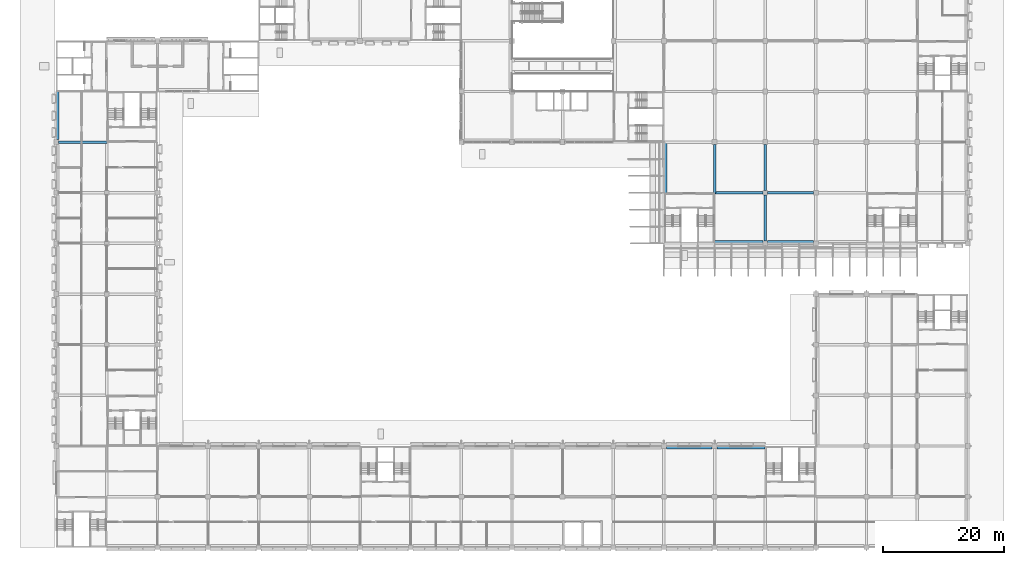
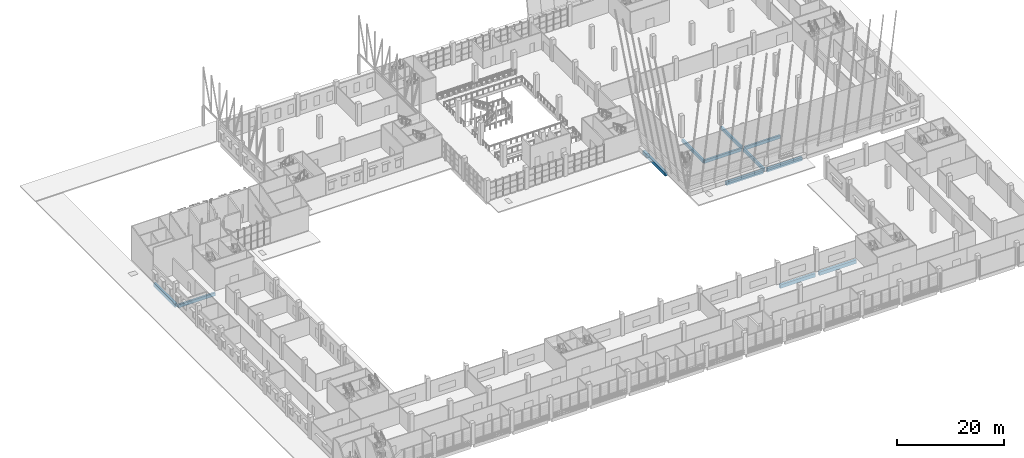
# One storey, part 5 of 101: 12 beams.
"""IFC4 building model written with IfcOpenShell, lengths in metres."""

from ifc_helpers import new_model, si_unit, direction, frame, origin, origin_2d, place, context, subcontext, project, spatial, rectangle, extrude, material, material_profile, profile_set, type_object, element, save


model = new_model("IFC4")

# Units and contexts
model_context = context("Model", 3, precision=1e-05, world=origin(), true_north=direction((0.0, 1.0)))
body_context = subcontext(model_context, "Body", "Model", "MODEL_VIEW")
ifc_project = project(units=[si_unit("LENGTHUNIT", "METRE"), si_unit("AREAUNIT", "SQUARE_METRE"), si_unit("VOLUMEUNIT", "CUBIC_METRE"), si_unit("PLANEANGLEUNIT", "RADIAN"), si_unit("MASSUNIT", "GRAM", prefix="KILO")], contexts=[model_context])

# Site, building, storey
site_placement = place(None, origin())
site = spatial("IfcSite", under=ifc_project, at=site_placement, CompositionType="ELEMENT")
building_placement = place(site_placement, origin())
building = spatial("IfcBuilding", under=site, at=building_placement, Name="Almond Square Museum", CompositionType="ELEMENT")
storey_placement = place(building_placement, frame((0.0, 0.0, 5.5)))
storey = spatial("IfcBuildingStorey", under=building, at=storey_placement, Name="L01", CompositionType="ELEMENT", Elevation=5.5)

# Beams
ifc_material_1 = material(Name="Concrete C40/50", Category="concrete")
ifc_material_profile_1 = material_profile(ifc_material_1, rectangle(XDim=0.39990234375, YDim=0.699951171875, at=origin_2d()))
ifc_profile_set_1 = profile_set([ifc_material_profile_1], Name="Concrete C40/50")
beam_type_1 = type_object("IfcBeamType", Name="RC beam 400 x 700 C40/50", PredefinedType="BEAM", material=ifc_profile_set_1)
beam_1_placement = place(storey_placement, frame((115.199951171875, 58.800048828125, -0.60009765625), z_axis=(1.0, 0.0, 0.0), x_axis=(0.0, 1.0, 0.0)))
element("IfcBeam", 1, at=beam_1_placement, inside=storey, type_object=beam_type_1, Name="Beam H 15-16 L01", PredefinedType="BEAM", context=body_context, shape_type="SweptSolid", body=[
    extrude(rectangle(XDim=0.39990234375, YDim=0.699951171875, at=origin_2d()), origin(), (0.0, 0.0, 1.0), 8.0),
])
beam_2_placement = place(storey_placement, frame((124.0, 58.800048828125, -0.60009765625), z_axis=(1.0, 0.0, 0.0), x_axis=(0.0, 1.0, 0.0)))
element("IfcBeam", 2, at=beam_2_placement, inside=storey, type_object=beam_type_1, Name="Beam H 16-17 L01", PredefinedType="BEAM", context=body_context, shape_type="SweptSolid", body=[
    extrude(rectangle(XDim=0.39990234375, YDim=0.699951171875, at=origin_2d()), origin(), (0.0, 0.0, 1.0), 7.60009765625),
])
for number, where, z_axis, x_axis, name in (
    (3, (6.39990234375, 67.199951171875, -0.60009765625), (1.0, 0.0, 0.0), (0.0, 1.0, 0.0), "Beam I 2-3 L01"),
    (4, (115.199951171875, 58.800048828125, -0.60009765625), (0.0, 1.0, 0.0), (-1.0, 0.0, 0.0), "Beam 15 H-I L01"),
):
    element("IfcBeam", number, at=place(storey_placement, frame(where, z_axis=z_axis, x_axis=x_axis)), inside=storey, type_object=beam_type_1, Name=name, PredefinedType="BEAM", context=body_context, shape_type="SweptSolid", body=[
        extrude(rectangle(XDim=0.39990234375, YDim=0.699951171875, at=origin_2d()), origin(), (0.0, 0.0, 1.0), 8.0),
    ])
beam_3_placement = place(storey_placement, frame((123.60009765625, 50.800048828125, -0.60009765625), z_axis=(0.0, 1.0, 0.0), x_axis=(-1.0, 0.0, 0.0)))
element("IfcBeam", 5, at=beam_3_placement, inside=storey, type_object=beam_type_1, Name="Beam 16 G-H L01", PredefinedType="BEAM", context=body_context, shape_type="SweptSolid", body=[
    extrude(rectangle(XDim=0.39990234375, YDim=0.699951171875, at=origin_2d()), origin(), (0.0, 0.0, 1.0), 7.599853515625),
])
beam_4_placement = place(storey_placement, frame((123.60009765625, 59.199951171875, -0.60009765625), z_axis=(0.0, 1.0, 0.0), x_axis=(-1.0, 0.0, 0.0)))
element("IfcBeam", 6, at=beam_4_placement, inside=storey, type_object=beam_type_1, Name="Beam 16 H-I L01", PredefinedType="BEAM", context=body_context, shape_type="SweptSolid", body=[
    extrude(rectangle(XDim=0.39990234375, YDim=0.699951171875, at=origin_2d()), origin(), (0.0, 0.0, 1.0), 7.60009765625),
])
ifc_material_2 = material(Name="Concrete C40/50", Category="concrete")
ifc_material_profile_2 = material_profile(ifc_material_2, rectangle(XDim=0.5, YDim=0.800048828125, at=origin_2d()))
ifc_profile_set_2 = profile_set([ifc_material_profile_2], Name="Concrete C40/50")
beam_type_2 = type_object("IfcBeamType", Name="RC edge beam 500 x 800 C40/50", PredefinedType="BEAM", material=ifc_profile_set_2)
beam_5_placement = place(storey_placement, frame((107.199951171875, 16.550048828125, -0.64990234375), z_axis=(1.0, 0.0, 0.0), x_axis=(0.0, 1.0, 0.0)))
element("IfcBeam", 7, at=beam_5_placement, inside=storey, type_object=beam_type_2, Name="Edge beam C 14-15 L01", PredefinedType="BEAM", context=body_context, shape_type="SweptSolid", body=[
    extrude(rectangle(XDim=0.5, YDim=0.800048828125, at=origin_2d()), origin(), (0.0, 0.0, 1.0), 7.60009765625),
])
for number, where, z_axis, x_axis, name in (
    (8, (115.60009765625, 16.550048828125, -0.64990234375), (1.0, 0.0, 0.0), (0.0, 1.0, 0.0), "Edge beam C 15-16 L01"),
    (9, (115.199951171875, 50.64990234375, -0.64990234375), (1.0, 0.0, 0.0), (0.0, 1.0, 0.0), "Edge beam G 15-16 L01"),
):
    element("IfcBeam", number, at=place(storey_placement, frame(where, z_axis=z_axis, x_axis=x_axis)), inside=storey, type_object=beam_type_2, Name=name, PredefinedType="BEAM", context=body_context, shape_type="SweptSolid", body=[
        extrude(rectangle(XDim=0.5, YDim=0.800048828125, at=origin_2d()), origin(), (0.0, 0.0, 1.0), 8.0),
    ])
beam_6_placement = place(storey_placement, frame((124.0, 50.64990234375, -0.64990234375), z_axis=(1.0, 0.0, 0.0), x_axis=(0.0, 1.0, 0.0)))
element("IfcBeam", 10, at=beam_6_placement, inside=storey, type_object=beam_type_2, Name="Edge beam G 16-17 L01", PredefinedType="BEAM", context=body_context, shape_type="SweptSolid", body=[
    extrude(rectangle(XDim=0.5, YDim=0.800048828125, at=origin_2d()), origin(), (0.0, 0.0, 1.0), 7.60009765625),
])
beam_7_placement = place(storey_placement, frame((6.25, 67.60009765625, -0.64990234375), z_axis=(0.0, 1.0, 0.0), x_axis=(-1.0, 0.0, 0.0)))
element("IfcBeam", 11, at=beam_7_placement, inside=storey, type_object=beam_type_2, Name="Edge beam 2 I-J L01", PredefinedType="BEAM", context=body_context, shape_type="SweptSolid", body=[
    extrude(rectangle(XDim=0.5, YDim=0.800048828125, at=origin_2d()), origin(), (0.0, 0.0, 1.0), 8.0),
])
beam_8_placement = place(storey_placement, frame((107.050048828125, 58.800048828125, -0.64990234375), z_axis=(0.0, 1.0, 0.0), x_axis=(-1.0, 0.0, 0.0)))
element("IfcBeam", 12, at=beam_8_placement, inside=storey, type_object=beam_type_2, Name="Edge beam 14 H-I L01", PredefinedType="BEAM", context=body_context, shape_type="SweptSolid", body=[
    extrude(rectangle(XDim=0.5, YDim=0.800048828125, at=origin_2d()), origin(), (0.0, 0.0, 1.0), 8.39990234375),
])

save(model, "model.ifc")
